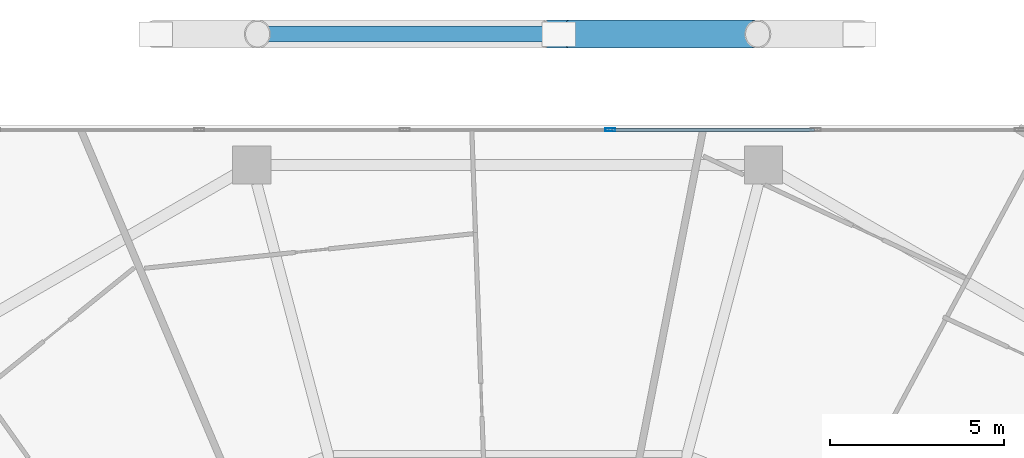
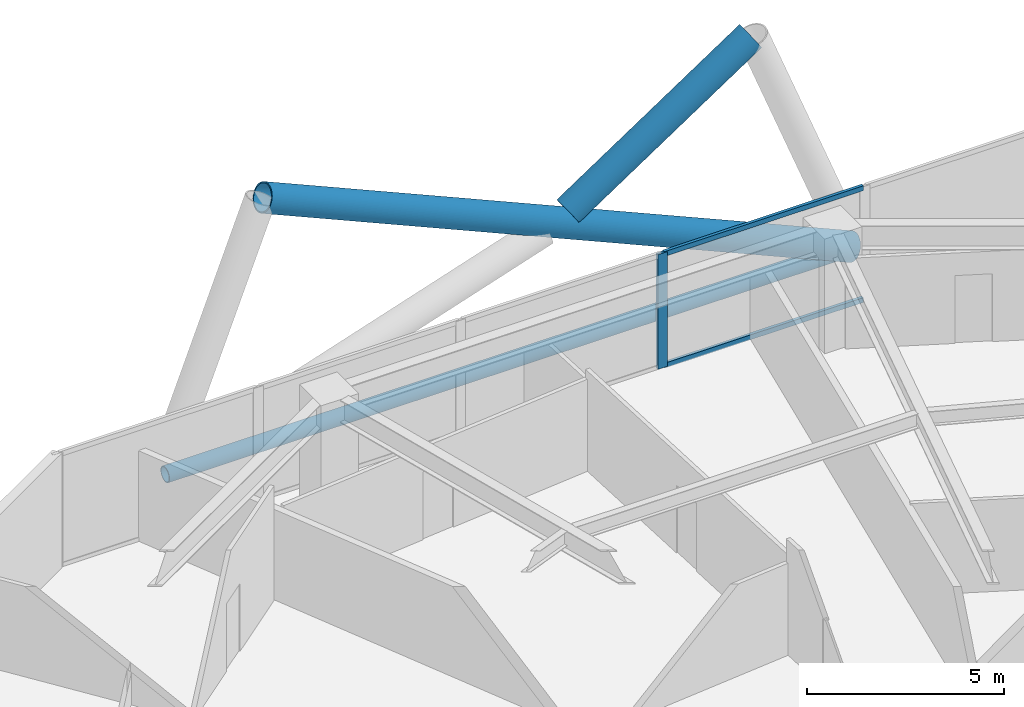
# One storey, part 24 of 36: 6 members, 1 element without a shape of its own.
"""IFC4 building model written with IfcOpenShell, lengths in metres."""

from ifc_helpers import new_model, si_unit, direction, frame, origin, origin_2d, place, context, subcontext, project, spatial, hollow_rectangle, hollow_circle, extrude, material, material_profile, profile_set, type_object, element, aggregate, save


model = new_model("IFC4")

# Units and contexts
model_context = context("Model", 3, precision=1e-05, world=origin(), true_north=direction((0.0, 1.0)))
body_context = subcontext(model_context, "Body", "Model", "MODEL_VIEW")
ifc_project = project(units=[si_unit("LENGTHUNIT", "METRE"), si_unit("AREAUNIT", "SQUARE_METRE"), si_unit("VOLUMEUNIT", "CUBIC_METRE"), si_unit("PLANEANGLEUNIT", "RADIAN"), si_unit("MASSUNIT", "GRAM", prefix="KILO")], contexts=[model_context])

# Site, building, storey
site_placement = place(None, origin())
site = spatial("IfcSite", under=ifc_project, at=site_placement, CompositionType="ELEMENT")
building_placement = place(site_placement, origin())
building = spatial("IfcBuilding", under=site, at=building_placement, Name="Zuhravey Tower", CompositionType="ELEMENT")
storey_placement = place(building_placement, frame((0.0, 0.0, 107.60009765625)))
storey = spatial("IfcBuildingStorey", under=building, at=storey_placement, Name="L26", CompositionType="ELEMENT", Elevation=107.60009765625)

# Curtain wall, members
ifc_material_1 = material(Name="Thermally broken anodised aluminium", Category="aluminium")
curtain_wall_type = type_object("IfcCurtainWallType", Name="Zone 1-2 Residential Curtain Wall CW3", PredefinedType="NOTDEFINED", material=ifc_material_1)
curtain_wall_placement = place(storey_placement, origin())
curtain_wall = element("IfcCurtainWall", 1, at=curtain_wall_placement, inside=storey, type_object=curtain_wall_type, Name="L26 CW3 CW-L26-F2-1", PredefinedType="NOTDEFINED")
ifc_material_2 = material(Name="Anodised aluminium", Category="aluminium")
ifc_material_profile_1 = material_profile(ifc_material_2, hollow_rectangle(XDim=0.090087890625, YDim=0.284912109375, WallThickness=0.0048828125, at=origin_2d()), Name="ALU-RHS-90x285x5")
ifc_profile_set_1 = profile_set([ifc_material_profile_1], Name="Anodised aluminium")
member_type_1 = type_object("IfcMemberType", Name="Curtain-Wall Mullion 90x180", PredefinedType="MULLION", material=ifc_profile_set_1)
member_1_placement = place(storey_placement, frame((38.9599609375, 60.95849609375, 0.0), z_axis=(0.0, 0.0, 1.0), x_axis=(0.0, 1.0, 0.0)))
member_1 = element("IfcMember", 2, at=member_1_placement, type_object=member_type_1, Name="CW3 mullion 4", PredefinedType="MULLION", context=body_context, shape_type="SweptSolid", body=[
    extrude(hollow_rectangle(XDim=0.090087890625, YDim=0.284912109375, WallThickness=0.0048828125, at=origin_2d()), origin(), (0.0, 0.0, 1.0), 3.5498046875),
])
ifc_material_profile_2 = material_profile(ifc_material_2, hollow_rectangle(XDim=0.090087890625, YDim=0.14990234375, WallThickness=0.0048828125, at=origin_2d()), Name="ALU-RHS-90x150x5")
ifc_profile_set_2 = profile_set([ifc_material_profile_2], Name="Anodised aluminium")
member_type_2 = type_object("IfcMemberType", Name="Curtain-Wall Transom 90x150", PredefinedType="USERDEFINED", material=ifc_profile_set_2)
member_2_placement = place(storey_placement, frame((39.0048828125, 60.95849609375, 0.044921875), z_axis=(1.0, 0.0, 0.0), x_axis=(0.0, 1.0, 0.0)))
member_2 = element("IfcMember", 3, at=member_2_placement, type_object=member_type_2, Name="CW3 transom 4.1", ObjectType="TRANSOM", PredefinedType="USERDEFINED", context=body_context, shape_type="SweptSolid", body=[
    extrude(hollow_rectangle(XDim=0.090087890625, YDim=0.14990234375, WallThickness=0.0048828125, at=origin_2d()), origin(), (0.0, 0.0, 1.0), 5.829833984375),
])
member_3_placement = place(storey_placement, frame((39.0048828125, 60.95849609375, 3.5048828125), z_axis=(1.0, 0.0, 0.0), x_axis=(0.0, 1.0, 0.0)))
member_3 = element("IfcMember", 4, at=member_3_placement, type_object=member_type_2, Name="CW3 transom 4.2", ObjectType="TRANSOM", PredefinedType="USERDEFINED", context=body_context, shape_type="SweptSolid", body=[
    extrude(hollow_rectangle(XDim=0.090087890625, YDim=0.14990234375, WallThickness=0.0048828125, at=origin_2d()), origin(), (0.0, 0.0, 1.0), 5.829833984375),
])
aggregate(curtain_wall, [member_1, member_2, member_3])

# Members
ifc_material_3 = material(Name="Steel SM355", Category="steel")
ifc_material_profile_3 = material_profile(ifc_material_3, hollow_circle(Radius=0.228515625, WallThickness=0.02197265625, at=origin_2d()), Name="CHS-457.2x22")
ifc_profile_set_3 = profile_set([ifc_material_profile_3], Name="Steel SM355")
member_type_3 = type_object("IfcMemberType", Name="Exoskeleton Ring Tie CHS457x22", PredefinedType="CHORD", material=ifc_profile_set_3)
member_4_placement = place(storey_placement, frame((45.996826171875, 63.718505859375, -0.464111328125), z_axis=(-1.0, 0.0, 0.0), x_axis=(0.0, -1.0, 0.0)))
element("IfcMember", 5, at=member_4_placement, inside=storey, type_object=member_type_3, Name="L26 Exoskeleton Face 2 Tie EXR1", PredefinedType="CHORD", context=body_context, shape_type="SweptSolid", body=[
    extrude(hollow_circle(Radius=0.228515625, WallThickness=0.02197265625, at=origin_2d()), origin(), (0.0, 0.0, 1.0), 19.99365234375),
])
ifc_material_4 = material(Name="Steel SM460", Category="steel")
ifc_material_profile_4 = material_profile(ifc_material_4, hollow_circle(Radius=0.406494140625, WallThickness=0.035888671875, at=origin_2d()), Name="CHS-812.8x36")
ifc_profile_set_4 = profile_set([ifc_material_profile_4], Name="Steel SM460")
member_type_4 = type_object("IfcMemberType", Name="Exoskeleton Zone 1 Diagrid CHS813x36", PredefinedType="BRACE", material=ifc_profile_set_4)
member_5_placement = place(storey_placement, frame((46.086669921875, 63.718505859375, -0.442138671875), z_axis=(-0.915809142327, 0.0, 0.401613763248), x_axis=(0.0, -1.0, 0.0)))
element("IfcMember", 6, at=member_5_placement, inside=storey, type_object=member_type_4, Name="L26 Face 2 Diagrid Brace 2", PredefinedType="BRACE", context=body_context, shape_type="SweptSolid", body=[
    extrude(hollow_circle(Radius=0.406494140625, WallThickness=0.035888671875, at=origin_2d()), origin(), (0.0, 0.0, 1.0), 18.814453125),
])
member_6_placement = place(storey_placement, frame((37.8017578125, 63.718505859375, 3.55517578125), z_axis=(0.833038011792, 0.0, 0.553215754395), x_axis=(0.0, 1.0, 0.0)))
element("IfcMember", 7, at=member_6_placement, inside=storey, type_object=member_type_4, Name="L26 Face 2 Split Diagrid Brace 3B", PredefinedType="BRACE", context=body_context, shape_type="SweptSolid", body=[
    extrude(hollow_circle(Radius=0.406494140625, WallThickness=0.035888671875, at=origin_2d()), origin(), (0.0, 0.0, 1.0), 6.41796875),
])

save(model, "model.ifc")
